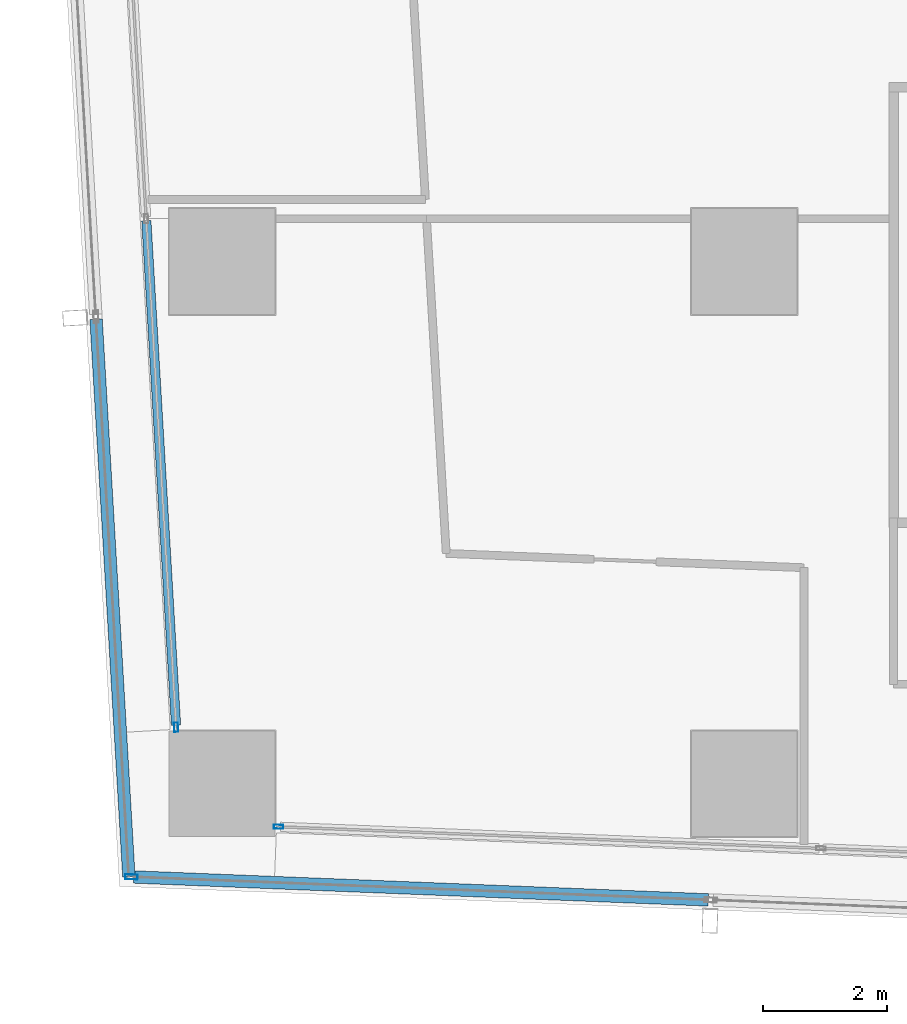
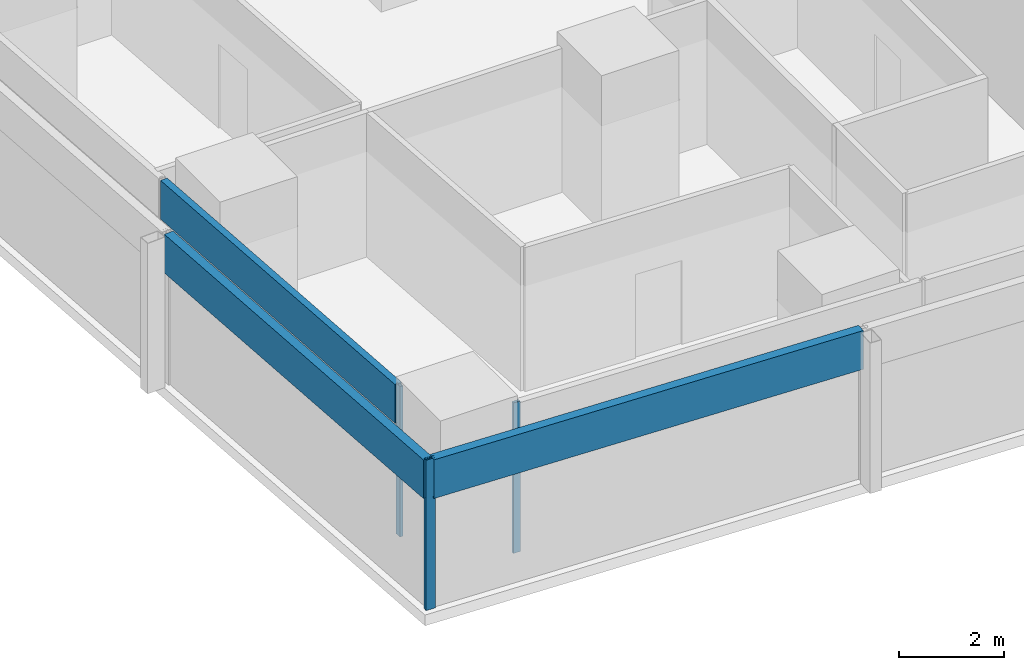
# One storey, part 2 of 39: 6 members, 4 elements without a shape of their own.
"""IFC4 building model written with IfcOpenShell, lengths in metres."""

import ifcopenshell
import ifcopenshell.guid

model = None  # the IFC model being written
_history = None  # IfcOwnerHistory: only IFC2X3 demands one
_inside = {}  # id of a spatial element -> (the spatial element, [elements in it])
_under = {}  # id of a project, library or spatial element -> (it, [spatial elements below it])
_declared = {}  # id of a project -> (the project, [libraries it declares])
_typed = {}  # id of a type object -> (the type object, [elements of that type])
_made_of = {}  # id of a material, layer set ... -> (it, [elements and type objects made of it])


def new_model(schema):
    """Start an empty IFC model of exactly this schema.

    Asked for "IFC4X3", IfcOpenShell would pick the latest addendum, in which some entities
    have other attributes; the version numbers below select the first issue.
    IFC2X3 requires an IfcOwnerHistory on every rooted entity: one is made here for all.
    """
    global model, _history
    if schema == "IFC4X3":
        model = ifcopenshell.file(schema_version=(4, 3, 0, 0))
    else:
        model = ifcopenshell.file(schema=schema)
    _inside.clear()
    _under.clear()
    _declared.clear()
    _typed.clear()
    _made_of.clear()
    _history = None
    if model.schema == "IFC2X3":
        org = make("IfcOrganization", Name="unknown")
        user = make(
            "IfcPersonAndOrganization",
            ThePerson=make("IfcPerson", FamilyName="unknown"),
            TheOrganization=org,
        )
        app = make(
            "IfcApplication",
            ApplicationDeveloper=org,
            Version="unknown",
            ApplicationFullName="unknown",
            ApplicationIdentifier="unknown",
        )
        _history = make(
            "IfcOwnerHistory",
            OwningUser=user,
            OwningApplication=app,
            ChangeAction="ADDED",
            CreationDate=0,
        )
    return model


def make(cls, **values):
    """One entity of the class cls with the attributes given. An attribute that is None is left unset."""
    return model.create_entity(
        cls, **{name: value for name, value in values.items() if value is not None}
    )


def rooted(cls, **values):
    """An entity with a GlobalId (a new one), such as an element, a storey or a relation."""
    return make(cls, GlobalId=ifcopenshell.guid.new(), OwnerHistory=_history, **values)


def si_unit(unit_type, name, prefix=None):
    """IfcSIUnit, for example si_unit("LENGTHUNIT", "METRE", prefix="MILLI")."""
    return make("IfcSIUnit", UnitType=unit_type, Prefix=prefix, Name=name)


def assignment(units):
    """IfcUnitAssignment: the units of a project."""
    return None if units is None else make("IfcUnitAssignment", Units=units)


def point(xyz):
    """IfcCartesianPoint."""
    return None if xyz is None else make("IfcCartesianPoint", Coordinates=xyz)


def direction(xyz):
    """IfcDirection."""
    return None if xyz is None else make("IfcDirection", DirectionRatios=xyz)


def frame(location, z_axis=None, x_axis=None):
    """IfcAxis2Placement3D, a coordinate frame: its origin and axes. An axis left out is left unset."""
    return make(
        "IfcAxis2Placement3D",
        Location=point(location),
        Axis=direction(z_axis),
        RefDirection=direction(x_axis),
    )


def frame_2d(location, x_axis=None):
    """IfcAxis2Placement2D, a coordinate frame in the plane: its origin and x axis."""
    return make(
        "IfcAxis2Placement2D", Location=point(location), RefDirection=direction(x_axis)
    )


def origin():
    """The frame at (0, 0, 0) with its axes left unset."""
    return frame((0.0, 0.0, 0.0))


def origin_2d():
    """The frame at (0, 0) in the plane with its x axis left unset."""
    return frame_2d((0.0, 0.0))


def place(relative_to, where):
    """IfcLocalPlacement: puts the frame where relative to a parent placement (None: the world)."""
    return make(
        "IfcLocalPlacement", PlacementRelTo=relative_to, RelativePlacement=where
    )


def context(
    kind, dimensions, precision=None, world=None, true_north=None, identifier=None
):
    """IfcGeometricRepresentationContext, for example the 3D "Model" context."""
    return make(
        "IfcGeometricRepresentationContext",
        ContextIdentifier=identifier,
        ContextType=kind,
        CoordinateSpaceDimension=dimensions,
        Precision=precision,
        WorldCoordinateSystem=world,
        TrueNorth=true_north,
    )


def subcontext(parent, identifier, kind, view, scale=None):
    """IfcGeometricRepresentationSubContext, for example "Body" below "Model"."""
    return make(
        "IfcGeometricRepresentationSubContext",
        ContextIdentifier=identifier,
        ContextType=kind,
        ParentContext=parent,
        TargetScale=scale,
        TargetView=view,
    )


def project(units=None, contexts=None):
    """IfcProject with its units and contexts."""
    return rooted(
        "IfcProject",
        Name="project",
        RepresentationContexts=contexts,
        UnitsInContext=assignment(units),
    )


def spatial(cls, under=None, at=None, **own):
    """A site, building, storey or space (cls), placed at a placement, below another one or the project."""
    s = rooted(cls, ObjectPlacement=at, **own)
    if under is not None:
        _under.setdefault(under.id(), (under, []))[1].append(s)
    return s


def profile(cls, at=None, kind="AREA", **sizes):
    """A parametric profile (cls). Its sizes go by their IFC names, for example OverallWidth=200.0."""
    return make(cls, ProfileType=kind, Position=at, **sizes)


def hollow_rectangle(**sizes):
    """IfcRectangleHollowProfileDef."""
    return profile("IfcRectangleHollowProfileDef", **sizes)


def extrude(swept, where, along, depth):
    """IfcExtrudedAreaSolid: the profile swept, set in the frame where, extruded along a direction by depth."""
    return make(
        "IfcExtrudedAreaSolid",
        SweptArea=swept,
        Position=where,
        ExtrudedDirection=direction(along),
        Depth=depth,
    )


def shape(context_of_items, identifier, shape_type, items):
    """IfcShapeRepresentation: the items that make up one representation, for example the "Body"."""
    return make(
        "IfcShapeRepresentation",
        ContextOfItems=context_of_items,
        RepresentationIdentifier=identifier,
        RepresentationType=shape_type,
        Items=items,
    )


def material(Name=None, Category=None):
    """IfcMaterial."""
    return make("IfcMaterial", Name=Name, Category=Category)


def material_profile(
    of_material, cross_section, Name=None, Category=None, Priority=None
):
    """IfcMaterialProfile: a cross section and its material."""
    return make(
        "IfcMaterialProfile",
        Name=Name,
        Material=of_material,
        Profile=cross_section,
        Priority=Priority,
        Category=Category,
    )


def profile_set(profiles, Name=None, composite=None):
    """IfcMaterialProfileSet."""
    return make(
        "IfcMaterialProfileSet",
        Name=Name,
        MaterialProfiles=profiles,
        CompositeProfile=composite,
    )


def made_of(thing, what):
    """Note that an element or type object is made of a material, layer set ...; save() writes the relation."""
    if what is not None:
        _made_of.setdefault(what.id(), (what, []))[1].append(thing)
    return thing


def type_object(cls, material=None, **own):
    """A type object (cls), such as IfcWallType, which elements share."""
    return made_of(rooted(cls, **own), material)


def element(
    cls,
    number,
    at=None,
    inside=None,
    cuts=None,
    type_object=None,
    material=None,
    context=None,
    identifier="Body",
    shape_type=None,
    held_by="IfcProductDefinitionShape",
    body=None,
    shapes=None,
    **own,
):
    """One element of the class cls, such as IfcWall. Its Tag is "e" and its number.

    at: its placement. inside: the storey or other place that contains it. cuts: it is an
    opening in that element (IfcRelVoidsElement). A single representation is given by context,
    identifier, shape_type and body (its items); several are given by shapes. held_by: the class
    of the entity that holds the representations. save() writes the other relations.
    """
    e = rooted(cls, Tag="e%d" % number, ObjectPlacement=at, **own)
    if body is not None:
        shapes = [shape(context, identifier, shape_type, body)]
    if shapes is not None:
        e.Representation = make(held_by, Representations=shapes)
    if inside is not None:
        _inside.setdefault(inside.id(), (inside, []))[1].append(e)
    if cuts is not None:
        rooted(
            "IfcRelVoidsElement", RelatingBuildingElement=cuts, RelatedOpeningElement=e
        )
    if type_object is not None:
        _typed.setdefault(type_object.id(), (type_object, []))[1].append(e)
    return made_of(e, material)


def aggregate(whole, parts):
    """IfcRelAggregates: a whole, such as a stair, and the parts it consists of."""
    return rooted("IfcRelAggregates", RelatingObject=whole, RelatedObjects=parts)


def save(model, path):
    """Write the relations noted so far, then the file.

    IfcRelAggregates (storeys below a building ...), IfcRelContainedInSpatialStructure (elements
    in a storey), IfcRelDefinesByType, IfcRelAssociatesMaterial and IfcRelDeclares: one each for
    every whole, place, type object, material and project.
    """
    for whole, parts in _under.values():
        aggregate(whole, parts)
    for where, things in _inside.values():
        rooted(
            "IfcRelContainedInSpatialStructure",
            RelatedElements=things,
            RelatingStructure=where,
        )
    for kind, things in _typed.values():
        rooted("IfcRelDefinesByType", RelatedObjects=things, RelatingType=kind)
    for what, things in _made_of.values():
        rooted("IfcRelAssociatesMaterial", RelatedObjects=things, RelatingMaterial=what)
    for by, libraries in _declared.values():
        rooted("IfcRelDeclares", RelatingContext=by, RelatedDefinitions=libraries)
    model.write(path)


model = new_model("IFC4")

# Units and contexts
model_context = context("Model", 3, precision=1e-05, world=origin(), true_north=direction((0.0, 1.0)))
body_context = subcontext(model_context, "Body", "Model", "MODEL_VIEW")
ifc_project = project(units=[si_unit("LENGTHUNIT", "METRE"), si_unit("AREAUNIT", "SQUARE_METRE"), si_unit("VOLUMEUNIT", "CUBIC_METRE"), si_unit("PLANEANGLEUNIT", "RADIAN"), si_unit("MASSUNIT", "GRAM", prefix="KILO")], contexts=[model_context])

# Site, building, storey
site_placement = place(None, origin())
site = spatial("IfcSite", under=ifc_project, at=site_placement, CompositionType="ELEMENT")
building_placement = place(site_placement, origin())
building = spatial("IfcBuilding", under=site, at=building_placement, Name="Rekha Terrace Tower", CompositionType="ELEMENT")
storey_placement = place(building_placement, frame((0.0, 0.0, 183.949951171875)))
storey = spatial("IfcBuildingStorey", under=building, at=storey_placement, Name="L46", CompositionType="ELEMENT", Elevation=183.949951171875)

# Curtain wall, member
ifc_material_1 = material(Name="Aluminium framing", Category="aluminium")
curtain_wall_type_1 = type_object("IfcCurtainWallType", Name="CW1 double skin inner glazing", PredefinedType="USERDEFINED", material=ifc_material_1)
curtain_wall_1_placement = place(storey_placement, origin())
curtain_wall_1 = element("IfcCurtainWall", 1, at=curtain_wall_1_placement, inside=storey, type_object=curtain_wall_type_1, Name="CW1 double skin inner glazing", ObjectType="DOUBLE SKIN INNER GLAZING", PredefinedType="USERDEFINED")
ifc_material_2 = material(Name="Aluminium mullion section", Category="aluminium")
ifc_material_profile_1 = material_profile(ifc_material_2, hollow_rectangle(XDim=0.06494140625, YDim=0.14990234375, WallThickness=0.00390625, at=origin_2d()), Name="AL RHS 65x150")
ifc_profile_set_1 = profile_set([ifc_material_profile_1], Name="Aluminium mullion section")
member_type_1 = type_object("IfcMemberType", Name="CW1 mullion RHS 65 x 150", PredefinedType="MULLION", material=ifc_profile_set_1)
member_1_placement = place(storey_placement, frame((9.30615234375, 16.10888671875, 0.0), z_axis=(0.0, 0.0, 1.0), x_axis=(0.039872497044, 0.999204775799, 0.0)))
member_1 = element("IfcMember", 2, at=member_1_placement, type_object=member_type_1, Name="CW1 mullion 1", PredefinedType="MULLION", context=body_context, shape_type="SweptSolid", body=[
    extrude(hollow_rectangle(XDim=0.06494140625, YDim=0.14990234375, WallThickness=0.00390625, at=origin_2d()), origin(), (0.0, 0.0, 1.0), 3.5),
])
aggregate(curtain_wall_1, [member_1])

# Curtain wall, members
curtain_wall_2_placement = place(storey_placement, origin())
curtain_wall_2 = element("IfcCurtainWall", 3, at=curtain_wall_2_placement, inside=storey, type_object=curtain_wall_type_1, Name="CW1 double skin inner glazing", ObjectType="DOUBLE SKIN INNER GLAZING", PredefinedType="USERDEFINED")
member_2_placement = place(storey_placement, frame((7.6611328125, 17.7080078125, 0.0), z_axis=(0.0, 0.0, 1.0), x_axis=(0.998271839267, 0.058765082551, 0.0)))
member_2 = element("IfcMember", 4, at=member_2_placement, type_object=member_type_1, Name="CW1 mullion 4", PredefinedType="MULLION", context=body_context, shape_type="SweptSolid", body=[
    extrude(hollow_rectangle(XDim=0.06494140625, YDim=0.14990234375, WallThickness=0.00390625, at=origin_2d()), origin(), (0.0, 0.0, 1.0), 3.5),
])
ifc_material_3 = material(Name="Insulated aluminium spandrel box", Category="aluminium")
ifc_material_profile_2 = material_profile(ifc_material_3, hollow_rectangle(XDim=0.14990234375, YDim=0.89990234375, WallThickness=0.0029296875, at=origin_2d()), Name="AL SPANDREL BOX 150x900")
ifc_profile_set_2 = profile_set([ifc_material_profile_2], Name="Insulated aluminium spandrel box")
member_type_2 = type_object("IfcMemberType", Name="CW1 spandrel transom 150 x 900", PredefinedType="USERDEFINED", material=ifc_profile_set_2)
member_3_placement = place(storey_placement, frame((7.181640625, 25.85595703125, 3.050048828125), z_axis=(0.058771314685, -0.998271472381, 0.0), x_axis=(0.998271472381, 0.058771314685, 0.0)))
member_3 = element("IfcMember", 5, at=member_3_placement, type_object=member_type_2, Name="CW1 spandrel transom 3", ObjectType="TRANSOM", PredefinedType="USERDEFINED", context=body_context, shape_type="SweptSolid", body=[
    extrude(hollow_rectangle(XDim=0.14990234375, YDim=0.89990234375, WallThickness=0.0029296875, at=origin_2d()), origin(), (0.0, 0.0, 1.0), 8.129638671875),
])
aggregate(curtain_wall_2, [member_2, member_3])

curtain_wall_type_2 = type_object("IfcCurtainWallType", Name="CW2 double skin outer glazing", PredefinedType="USERDEFINED", material=ifc_material_1)
curtain_wall_3_placement = place(storey_placement, origin())
curtain_wall_3 = element("IfcCurtainWall", 6, at=curtain_wall_3_placement, inside=storey, type_object=curtain_wall_type_2, Name="CW2 double skin outer glazing", ObjectType="DOUBLE SKIN OUTER GLAZING", PredefinedType="USERDEFINED")
ifc_material_profile_3 = material_profile(ifc_material_2, hollow_rectangle(XDim=0.080078125, YDim=0.199951171875, WallThickness=0.00390625, at=origin_2d()), Name="AL RHS 80x200")
ifc_profile_set_3 = profile_set([ifc_material_profile_3], Name="Aluminium mullion section")
member_type_3 = type_object("IfcMemberType", Name="CW2 mullion RHS 80 x 200", PredefinedType="MULLION", material=ifc_profile_set_3)
member_4_placement = place(storey_placement, frame((6.941162109375, 15.302490234375, 0.0), z_axis=(0.0, 0.0, 1.0), x_axis=(0.039872497044, 0.999204775799, 0.0)))
member_4 = element("IfcMember", 7, at=member_4_placement, type_object=member_type_3, Name="CW2 mullion 1", PredefinedType="MULLION", context=body_context, shape_type="SweptSolid", body=[
    extrude(hollow_rectangle(XDim=0.080078125, YDim=0.199951171875, WallThickness=0.00390625, at=origin_2d()), origin(), (0.0, 0.0, 1.0), 3.5),
])
ifc_material_profile_4 = material_profile(ifc_material_3, hollow_rectangle(XDim=0.199951171875, YDim=0.89990234375, WallThickness=0.0029296875, at=origin_2d()), Name="AL SPANDREL BOX 200x900")
ifc_profile_set_4 = profile_set([ifc_material_profile_4], Name="Insulated aluminium spandrel box")
member_type_4 = type_object("IfcMemberType", Name="CW2 spandrel transom 200 x 900", PredefinedType="USERDEFINED", material=ifc_profile_set_4)
member_5_placement = place(storey_placement, frame((6.981201171875, 15.301025390625, 3.050048828125), z_axis=(0.999203782278, -0.039897386899, 0.0), x_axis=(0.039897386899, 0.999203782278, 0.0)))
member_5 = element("IfcMember", 8, at=member_5_placement, type_object=member_type_4, Name="CW2 spandrel transom 1", ObjectType="TRANSOM", PredefinedType="USERDEFINED", context=body_context, shape_type="SweptSolid", body=[
    extrude(hollow_rectangle(XDim=0.199951171875, YDim=0.89990234375, WallThickness=0.0029296875, at=origin_2d()), origin(), (0.0, 0.0, 1.0), 9.24609375),
])
aggregate(curtain_wall_3, [member_4, member_5])

# Curtain wall, member
curtain_wall_4_placement = place(storey_placement, origin())
curtain_wall_4 = element("IfcCurtainWall", 9, at=curtain_wall_4_placement, inside=storey, type_object=curtain_wall_type_2, Name="CW2 double skin outer glazing", ObjectType="DOUBLE SKIN OUTER GLAZING", PredefinedType="USERDEFINED")
member_6_placement = place(storey_placement, frame((6.373291015625, 24.27197265625, 3.050048828125), z_axis=(0.058757071111, -0.998272310842, 0.0), x_axis=(0.998272310842, 0.058757071111, 0.0)))
member_6 = element("IfcMember", 10, at=member_6_placement, type_object=member_type_4, Name="CW2 spandrel transom 3", ObjectType="TRANSOM", PredefinedType="USERDEFINED", context=body_context, shape_type="SweptSolid", body=[
    extrude(hollow_rectangle(XDim=0.199951171875, YDim=0.89990234375, WallThickness=0.0029296875, at=origin_2d()), origin(), (0.0, 0.0, 1.0), 8.9833984375),
])
aggregate(curtain_wall_4, [member_6])

save(model, "model.ifc")
